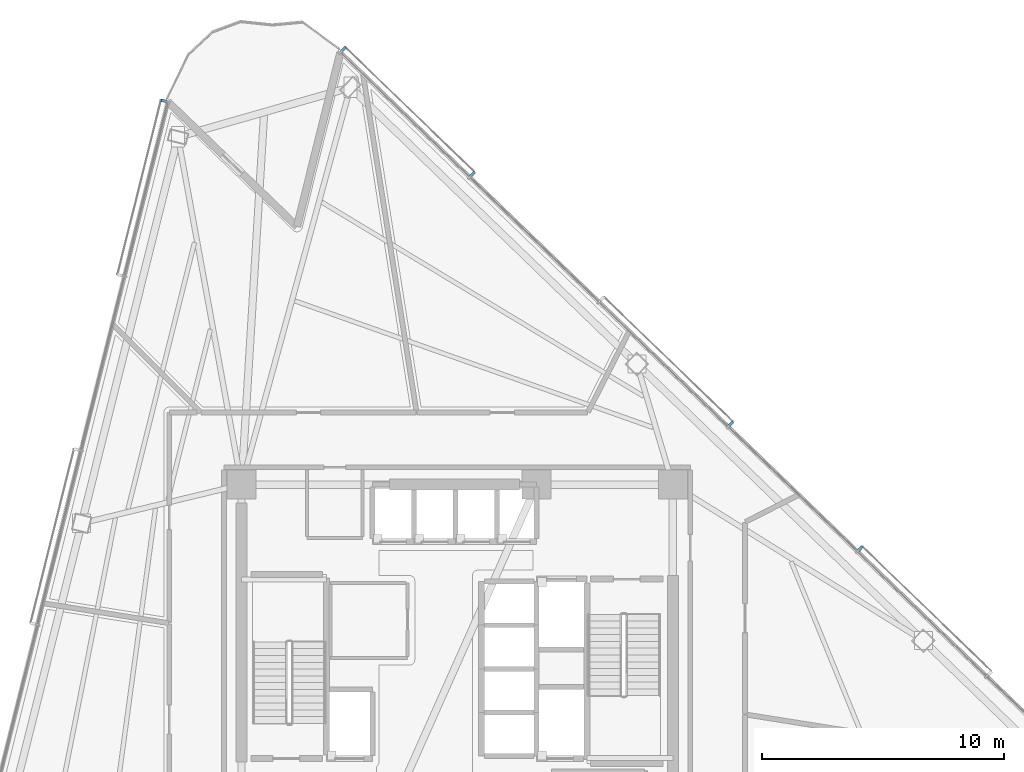
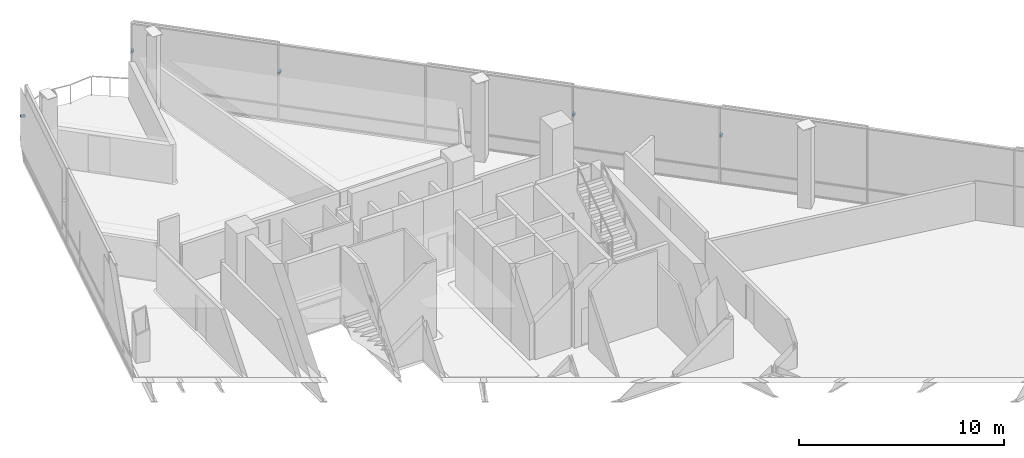
# One storey, part 14 of 18: 5 discrete accessories.
"""IFC4 building model written with IfcOpenShell, lengths in metres."""

from ifc_helpers import new_model, si_unit, direction, frame, origin, origin_2d, place, context, subcontext, project, spatial, rectangle, extrude, material, type_object, element, save


model = new_model("IFC4")

# Units and contexts
model_context = context("Model", 3, precision=1e-05, world=origin(), true_north=direction((0.0, 1.0)))
body_context = subcontext(model_context, "Body", "Model", "MODEL_VIEW")
ifc_project = project(units=[si_unit("LENGTHUNIT", "METRE"), si_unit("AREAUNIT", "SQUARE_METRE"), si_unit("VOLUMEUNIT", "CUBIC_METRE"), si_unit("PLANEANGLEUNIT", "RADIAN"), si_unit("MASSUNIT", "GRAM", prefix="KILO")], contexts=[model_context])

# Site, building, storey
site_placement = place(None, origin())
site = spatial("IfcSite", under=ifc_project, at=site_placement, CompositionType="ELEMENT")
building_placement = place(site_placement, origin())
building = spatial("IfcBuilding", under=site, at=building_placement, Name="Tharavind Bronze Gate", CompositionType="ELEMENT")
storey_placement = place(building_placement, frame((0.0, 0.0, 107.699951171875)))
storey = spatial("IfcBuildingStorey", under=building, at=storey_placement, Name="L27", CompositionType="ELEMENT", Elevation=107.699951171875)

# Discrete accessories
ifc_material = material(Name="Stainless Steel 316", Category="steel")
discrete_accessory_type = type_object("IfcDiscreteAccessoryType", Name="SOLAR SCREEN STANDOFF BRACKET", PredefinedType="BRACKET", material=ifc_material)
for number, where, z_axis, x_axis, name in (
    (1, (-12.1083984375, 23.437744140625, 2.669921875), (0.0, 0.0, 1.0), (-0.2419218956, -0.970295726276, 0.0), "CW-L27-S1 solar screen bracket 1.1"),
    (2, (16.637939453125, 4.962158203125, 2.669921875), (0.0, 0.0, 1.0), (-0.719341012745, 0.694657114973, 0.0), "CW-L27-S3 solar screen bracket 3.2"),
    (3, (11.3046875, 10.1123046875, 2.669921875), (0.0, 0.0, 1.0), (-0.719341012745, 0.694657114973, 0.0), "CW-L27-S3 solar screen bracket 5.1"),
    (4, (0.637939453125, 20.4130859375, 2.669921875), (0.0, 0.0, 1.0), (-0.719341012745, 0.694657114973, 0.0), "CW-L27-S3 solar screen bracket 7.1"),
    (5, (-4.6953125, 25.5634765625, 2.669921875), (0.0, 0.0, 1.0), (-0.719341012745, 0.694657114973, 0.0), "CW-L27-S3 solar screen bracket 7.2"),
):
    element("IfcDiscreteAccessory", number, at=place(storey_placement, frame(where, z_axis=z_axis, x_axis=x_axis)), inside=storey, type_object=discrete_accessory_type, Name=name, PredefinedType="BRACKET", context=body_context, shape_type="SweptSolid", body=[
        extrude(rectangle(XDim=0.1201171875, YDim=0.239990234375, at=origin_2d()), origin(), (0.0, 0.0, 1.0), 0.1201171875),
    ])

save(model, "model.ifc")
